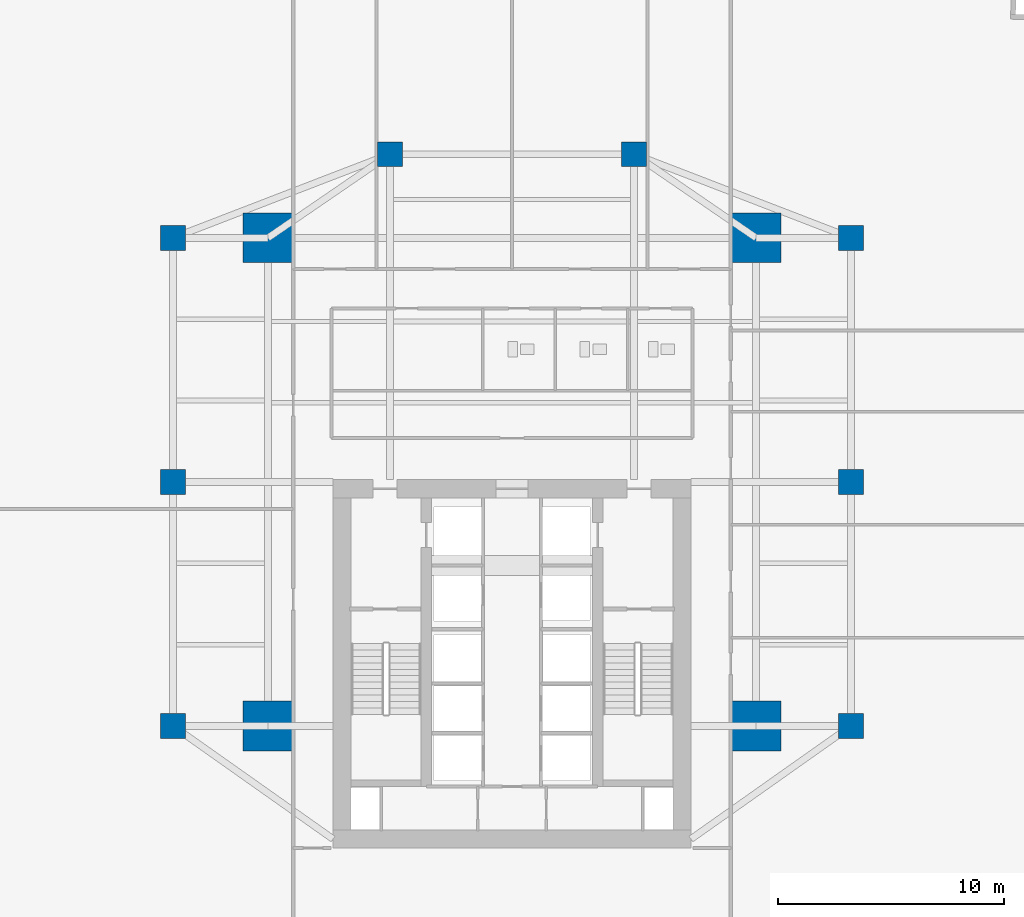
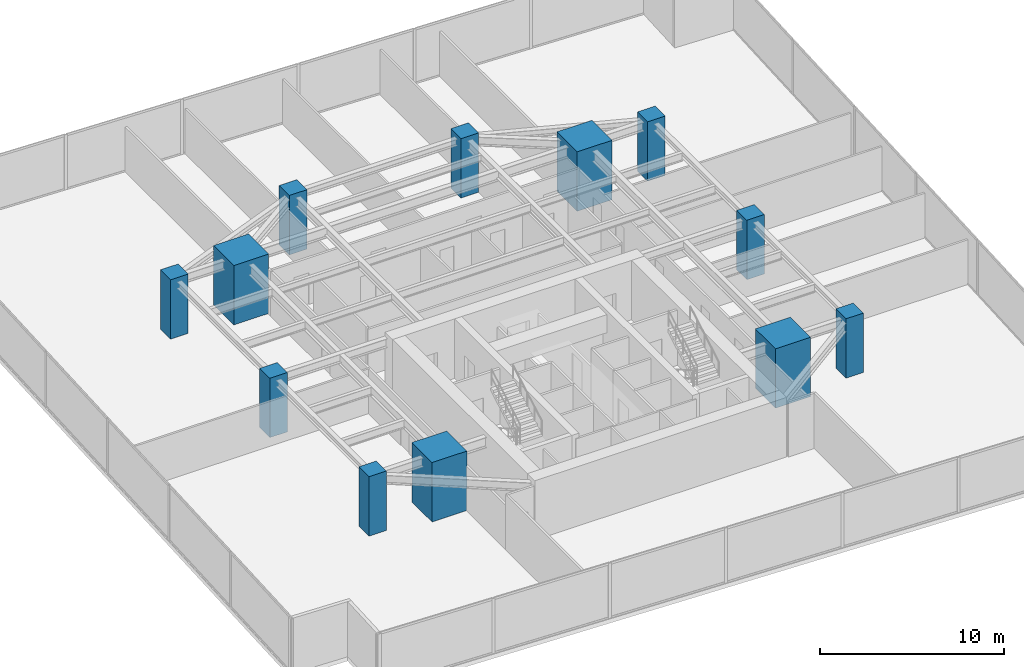
# One storey, part 1 of 30: 12 columns.
"""IFC4 building model written with IfcOpenShell, lengths in metres."""

from ifc_helpers import new_model, si_unit, direction, frame, origin, origin_2d, place, context, subcontext, project, spatial, rectangle, extrude, source, transform, mapped, material, material_profile, profile_set, type_object, type_shapes, element, save


model = new_model("IFC4")

# Units and contexts
model_context = context("Model", 3, precision=1e-05, world=origin(), true_north=direction((0.0, 1.0)))
body_context = subcontext(model_context, "Body", "Model", "MODEL_VIEW")
ifc_project = project(units=[si_unit("LENGTHUNIT", "METRE"), si_unit("AREAUNIT", "SQUARE_METRE"), si_unit("VOLUMEUNIT", "CUBIC_METRE"), si_unit("PLANEANGLEUNIT", "RADIAN"), si_unit("MASSUNIT", "GRAM", prefix="KILO")], contexts=[model_context])

# Site, building, storey
site_placement = place(None, origin())
site = spatial("IfcSite", under=ifc_project, at=site_placement, CompositionType="ELEMENT")
building_placement = place(site_placement, origin())
building = spatial("IfcBuilding", under=site, at=building_placement, Name="Krantzveldt Concourse Tower", CompositionType="ELEMENT")
storey_placement = place(building_placement, frame((0.0, 0.0, 44.75)))
storey = spatial("IfcBuildingStorey", under=building, at=storey_placement, Name="L10", CompositionType="ELEMENT", Elevation=44.75)

# Columns
ifc_material = material(Name="Concrete C60/75", Category="concrete")
ifc_material_profile_1 = material_profile(ifc_material, rectangle(XDim=2.199951171875, YDim=2.199951171875, at=origin_2d()), Name="Concrete C60/75", Category="concrete")
ifc_profile_set_1 = profile_set([ifc_material_profile_1], Name="Concrete C60/75 - RC 2200x2200")
column_type_1 = type_object("IfcColumnType", Name="COL-MC-2200", PredefinedType="USERDEFINED", material=ifc_profile_set_1)
shared_shape_1 = source(origin(), body_context, "Body", "SweptSolid", [
    extrude(rectangle(XDim=2.199951171875, YDim=2.199951171875, at=origin_2d()), origin(), (0.0, 0.0, 1.0), 3.949951171875),
])
type_shapes(column_type_1, [shared_shape_1])
for number, where, z_axis, x_axis, name in (
    (1, (25.199951171875, 15.89990234375, 0.0), (0.0, 0.0, 1.0), (1.0, 0.0, 0.0), "MC-SW-L10"),
    (2, (46.800048828125, 15.89990234375, 0.0), (0.0, 0.0, 1.0), (1.0, 0.0, 0.0), "MC-SE-L10"),
    (3, (46.800048828125, 37.5, 0.0), (0.0, 0.0, 1.0), (1.0, 0.0, 0.0), "MC-NE-L10"),
    (4, (25.199951171875, 37.5, 0.0), (0.0, 0.0, 1.0), (1.0, 0.0, 0.0), "MC-NW-L10"),
):
    element("IfcColumn", number, at=place(storey_placement, frame(where, z_axis=z_axis, x_axis=x_axis)), inside=storey, type_object=column_type_1, Name=name, ObjectType="MEGA COLUMN", PredefinedType="USERDEFINED", context=body_context, shape_type="MappedRepresentation", body=[
        mapped(shared_shape_1, transform((0.0, 0.0, 0.0), x_axis=(1.0, 0.0, 0.0), y_axis=(0.0, 1.0, 0.0), z_axis=(0.0, 0.0, 1.0), scale=1.0)),
    ])
ifc_material_profile_2 = material_profile(ifc_material, rectangle(XDim=1.10009765625, YDim=1.10009765625, at=origin_2d()), Name="Concrete C60/75", Category="concrete")
ifc_profile_set_2 = profile_set([ifc_material_profile_2], Name="Concrete C60/75 - RC 1100x1100")
column_type_2 = type_object("IfcColumnType", Name="COL-C-Z1", PredefinedType="COLUMN", material=ifc_profile_set_2)
shared_shape_2 = source(origin(), body_context, "Body", "SweptSolid", [
    extrude(rectangle(XDim=1.10009765625, YDim=1.10009765625, at=origin_2d()), origin(), (0.0, 0.0, 1.0), 3.949951171875),
])
type_shapes(column_type_2, [shared_shape_2])
for number, where, z_axis, x_axis, name in (
    (5, (21.0, 15.89990234375, 0.0), (0.0, 0.0, 1.0), (1.0, 0.0, 0.0), "PC-R01-L10"),
    (6, (21.0, 26.699951171875, 0.0), (0.0, 0.0, 1.0), (1.0, 0.0, 0.0), "PC-R02-L10"),
    (7, (21.0, 37.5, 0.0), (0.0, 0.0, 1.0), (1.0, 0.0, 0.0), "PC-R03-L10"),
    (8, (30.60009765625, 41.199951171875, 0.0), (0.0, 0.0, 1.0), (1.0, 0.0, 0.0), "PC-R04-L10"),
    (9, (41.39990234375, 41.199951171875, 0.0), (0.0, 0.0, 1.0), (1.0, 0.0, 0.0), "PC-R05-L10"),
    (10, (51.0, 37.5, 0.0), (0.0, 0.0, 1.0), (1.0, 0.0, 0.0), "PC-R06-L10"),
    (11, (51.0, 26.699951171875, 0.0), (0.0, 0.0, 1.0), (1.0, 0.0, 0.0), "PC-R07-L10"),
    (12, (51.0, 15.89990234375, 0.0), (0.0, 0.0, 1.0), (1.0, 0.0, 0.0), "PC-R08-L10"),
):
    element("IfcColumn", number, at=place(storey_placement, frame(where, z_axis=z_axis, x_axis=x_axis)), inside=storey, type_object=column_type_2, Name=name, PredefinedType="COLUMN", context=body_context, shape_type="MappedRepresentation", body=[
        mapped(shared_shape_2, transform((0.0, 0.0, 0.0), x_axis=(1.0, 0.0, 0.0), y_axis=(0.0, 1.0, 0.0), z_axis=(0.0, 0.0, 1.0), scale=1.0)),
    ])

save(model, "model.ifc")
